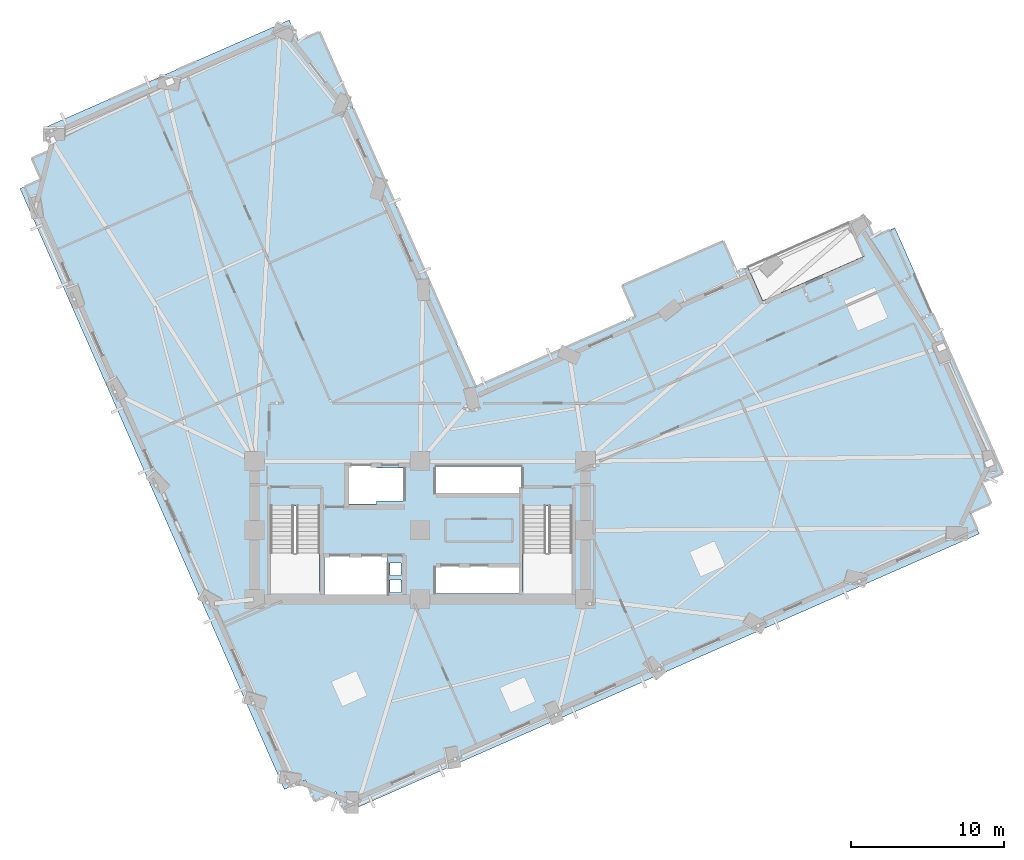
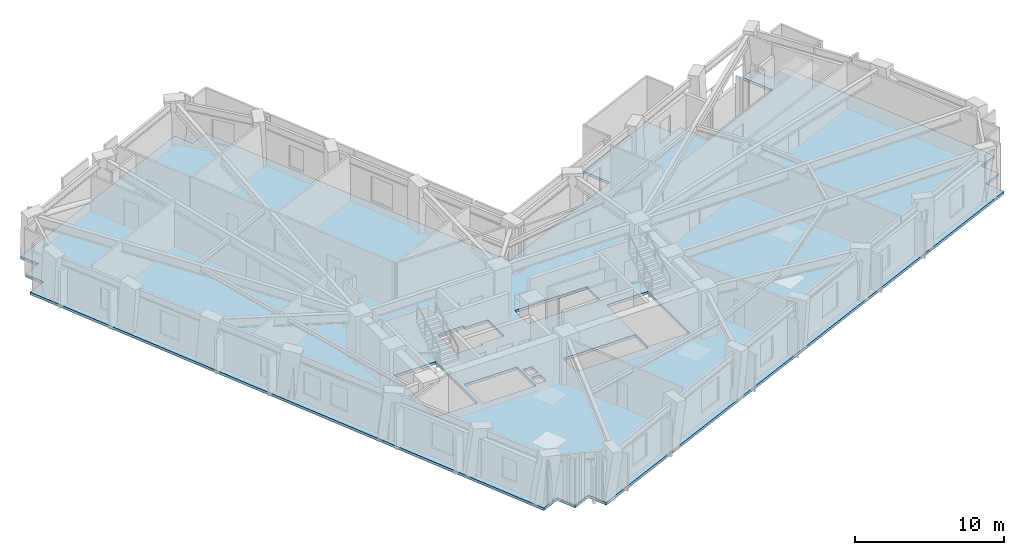
# One storey, part 4 of 15: 1 slab.
"""IFC4 building model written with IfcOpenShell, lengths in metres."""

from ifc_helpers import new_model, si_unit, direction, frame, origin, place, context, subcontext, project, spatial, polyline, outline, extrude, material, layer, layer_set, type_object, element, save


model = new_model("IFC4")

# Units and contexts
model_context = context("Model", 3, precision=1e-05, world=origin(), true_north=direction((0.0, 1.0)))
body_context = subcontext(model_context, "Body", "Model", "MODEL_VIEW")
ifc_project = project(units=[si_unit("LENGTHUNIT", "METRE"), si_unit("AREAUNIT", "SQUARE_METRE"), si_unit("VOLUMEUNIT", "CUBIC_METRE"), si_unit("PLANEANGLEUNIT", "RADIAN"), si_unit("MASSUNIT", "GRAM", prefix="KILO")], contexts=[model_context])

# Site, building, storey
site_placement = place(None, origin())
site = spatial("IfcSite", under=ifc_project, at=site_placement, CompositionType="ELEMENT")
building_placement = place(site_placement, origin())
building = spatial("IfcBuilding", under=site, at=building_placement, Name="Gaonmaruhae Medical Tower", CompositionType="ELEMENT")
storey_placement = place(building_placement, frame((0.0, 0.0, 124.39990234375)))
storey = spatial("IfcBuildingStorey", under=building, at=storey_placement, Name="L29", CompositionType="ELEMENT", Elevation=124.39990234375)

# Slab
ifc_material = material(Name="Concrete C40/50", Category="concrete")
ifc_layer = layer(ifc_material, 0.219970703125)
ifc_layer_set = layer_set([ifc_layer], Name="Concrete C40/50")
slab_type = type_object("IfcSlabType", Name="FS-220 Clinical Ward Composite Floor Slab", PredefinedType="FLOOR", material=ifc_layer_set)
slab_placement = place(storey_placement, frame((0.0, 0.0, -0.219970703125)))
element("IfcSlab", 1, at=slab_placement, inside=storey, type_object=slab_type, Name="L29 Structural Slab 1", PredefinedType="FLOOR", context=body_context, shape_type="SweptSolid", body=[
    extrude(outline(polyline([(54.388671875, 31.434326171875), (55.761474609375, 32.03857421875), (62.8095703125, 16.0205078125), (61.4365234375, 15.41650390625), (62.040771484375, 14.04345703125), (60.667724609375, 13.439208984375), (61.27197265625, 12.06640625), (19.89990234375, -6.1376953125), (19.295654296875, -4.764892578125), (17.9228515625, -5.368896484375), (17.318603515625, -3.99609375), (15.94580078125, -4.60009765625), (-1.2919921875, 34.5751953125), (0.0810546875, 35.179443359375), (-0.52294921875, 36.55224609375), (0.849853515625, 37.156494140625), (0.245849609375, 38.529296875), (16.263671875, 45.577392578125), (16.867919921875, 44.20458984375), (18.24072265625, 44.80859375), (28.430419921875, 21.6513671875), (38.864990234375, 26.24267578125), (37.978759765625, 28.25634765625), (44.569091796875, 31.156005859375), (45.455078125, 29.142333984375), (46.1875, 29.464599609375), (47.154052734375, 27.267822265625), (53.744140625, 30.16748046875), (52.777587890625, 32.3642578125), (53.784423828125, 32.807373046875), (54.388671875, 31.434326171875)]), holes=[polyline([(23.550048828125, 8.25), (22.85009765625, 8.25), (22.85009765625, 9.050048828125), (23.550048828125, 9.050048828125), (23.550048828125, 8.25)]), polyline([(25.824951171875, 9.925048828125), (31.425048828125, 9.925048828125), (31.425048828125, 8.175048828125), (25.824951171875, 8.175048828125), (25.824951171875, 9.925048828125)]), polyline([(22.64990234375, 10.625), (22.64990234375, 8.074951171875), (18.550048828125, 8.074951171875), (18.550048828125, 10.625), (22.64990234375, 10.625)]), polyline([(23.550048828125, 9.35009765625), (22.85009765625, 9.35009765625), (22.85009765625, 10.14990234375), (23.550048828125, 10.14990234375), (23.550048828125, 9.35009765625)]), polyline([(15.050048828125, 13.889892578125), (18.25, 13.889892578125), (18.25, 8.300048828125), (15.050048828125, 8.300048828125), (15.050048828125, 13.889892578125)]), polyline([(31.5, 13.889892578125), (34.699951171875, 13.889892578125), (34.699951171875, 8.300048828125), (31.5, 8.300048828125), (31.5, 13.889892578125)]), polyline([(21.949951171875, 14.22509765625), (21.949951171875, 14.02490234375), (19.949951171875, 14.02490234375), (19.949951171875, 16.574951171875), (21.949951171875, 16.574951171875), (21.949951171875, 16.375), (23.72509765625, 16.375), (23.72509765625, 14.22509765625), (21.949951171875, 14.22509765625)]), polyline([(25.824951171875, 16.425048828125), (31.425048828125, 16.425048828125), (31.425048828125, 14.675048828125), (25.824951171875, 14.675048828125), (25.824951171875, 16.425048828125)])]), origin(), (0.0, 0.0, 1.0), 0.219970703125),
])

save(model, "model.ifc")
